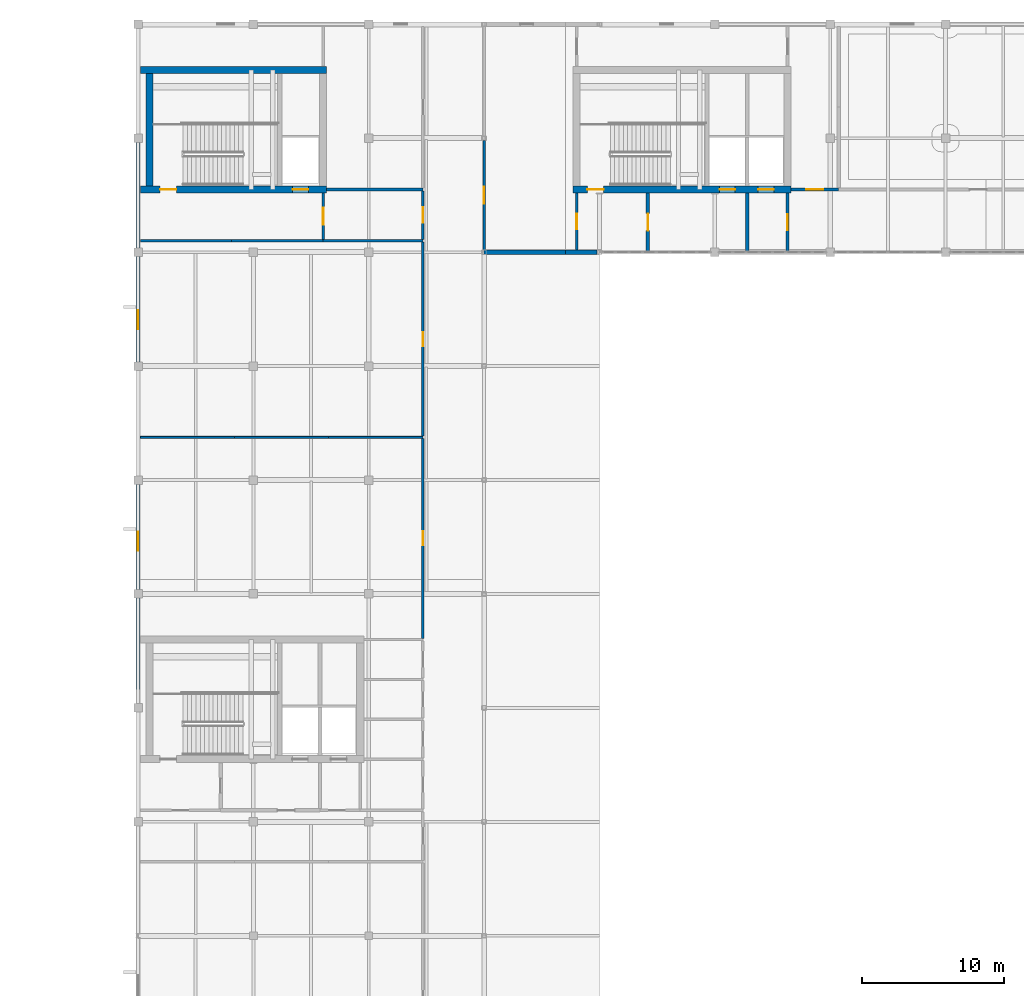
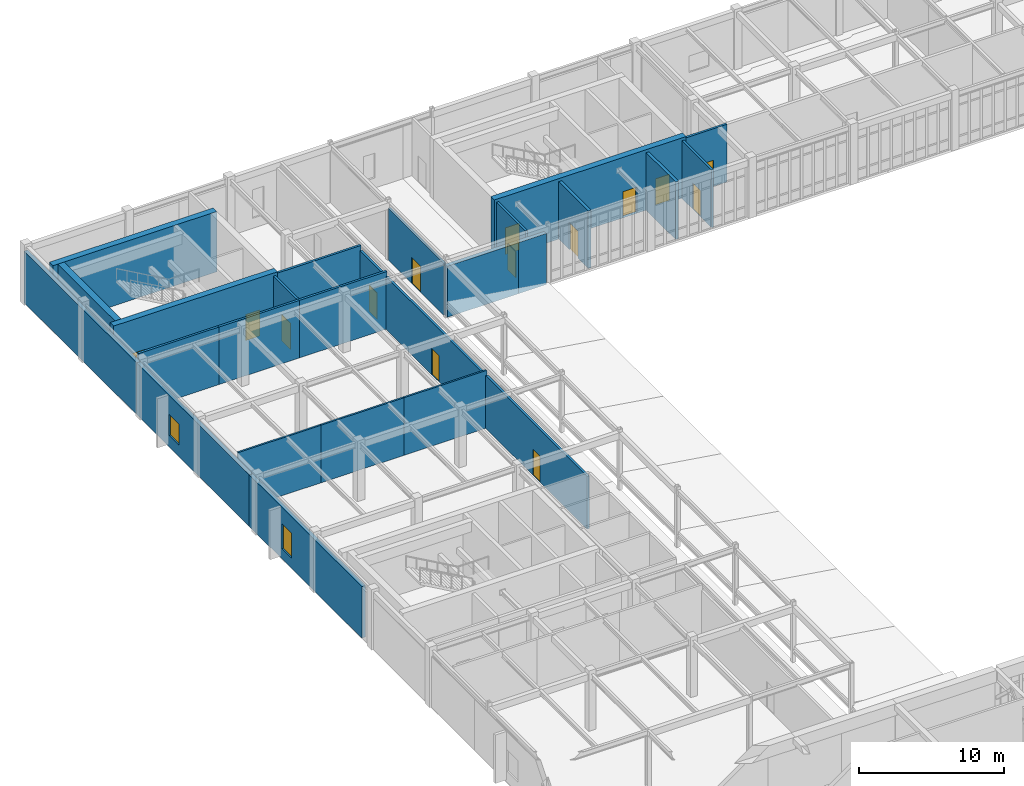
# One storey, part 62 of 70: 26 walls, 14 doors, 2 windows, 16 openings.
"""IFC4 building model written with IfcOpenShell, lengths in metres."""

from ifc_helpers import new_model, si_unit, direction, frame, frame_2d, origin, place, context, subcontext, project, spatial, rectangle, extrude, material, layer, layer_set, type_object, element, fill, save


model = new_model("IFC4")

# Units and contexts
model_context = context("Model", 3, precision=1e-05, world=origin(), true_north=direction((0.0, 1.0)))
body_context = subcontext(model_context, "Body", "Model", "MODEL_VIEW")
ifc_project = project(units=[si_unit("LENGTHUNIT", "METRE"), si_unit("AREAUNIT", "SQUARE_METRE"), si_unit("VOLUMEUNIT", "CUBIC_METRE"), si_unit("PLANEANGLEUNIT", "RADIAN"), si_unit("MASSUNIT", "GRAM", prefix="KILO")], contexts=[model_context])

# Site, building, storey
site_placement = place(None, origin())
site = spatial("IfcSite", under=ifc_project, at=site_placement, CompositionType="ELEMENT")
building_placement = place(site_placement, origin())
building = spatial("IfcBuilding", under=site, at=building_placement, Name="Tarnveldt Square Police Headquarters", CompositionType="ELEMENT")
storey_placement = place(building_placement, frame((0.0, 0.0, 19.800048828125)))
storey = spatial("IfcBuildingStorey", under=building, at=storey_placement, Name="L04", CompositionType="ELEMENT", Elevation=19.800048828125)

# Wall, openings, doors
ifc_material_1 = material(Name="Concrete 50 MPa", Category="concrete")
ifc_layer_1 = layer(ifc_material_1, 0.5)
ifc_layer_set_1 = layer_set([ifc_layer_1], Name="Concrete 50 MPa")
wall_type_1 = type_object("IfcWallType", Name="WL-CORE-500", PredefinedType="SHEAR", material=ifc_layer_set_1)
wall_1_placement = place(storey_placement, frame((16.360107421875, 100.39990234375, 0.0), z_axis=(0.0, 0.0, 1.0), x_axis=(1.0, 0.0, 0.0)))
wall_1 = element("IfcWall", 1, at=wall_1_placement, inside=storey, type_object=wall_type_1, Name="Core K2 North-West Operations Core L04 South Shear Wall", PredefinedType="SHEAR", context=body_context, shape_type="SweptSolid", body=[
    extrude(rectangle(XDim=13.08984375, YDim=0.5, at=frame_2d((6.544921875, 0.0))), origin(), (0.0, 0.0, 1.0), 5.099853515625),
])
opening_1_placement = place(wall_1_placement, frame((1.389892578125, 0.0, 0.0)))
opening_1 = element("IfcOpeningElement", 2, at=opening_1_placement, cuts=wall_1, Name="Opening D-ST2-L04", PredefinedType="OPENING", context=body_context, shape_type="SweptSolid", body=[
    extrude(rectangle(XDim=1.14990234375, YDim=2.25, at=frame_2d((0.574951171875, 1.125))), frame((0.0, 0.260009765625, 0.0), z_axis=(0.0, -1.0, 0.0), x_axis=(1.0, 0.0, 0.0)), (0.0, 0.0, 1.0), 0.52001953125),
])
opening_2_placement = place(wall_1_placement, frame((10.695068359375, 0.0, 0.0)))
opening_2 = element("IfcOpeningElement", 3, at=opening_2_placement, cuts=wall_1, Name="Opening LD-LP2-L04", PredefinedType="OPENING", context=body_context, shape_type="SweptSolid", body=[
    extrude(rectangle(XDim=1.10009765625, YDim=2.199951171875, at=frame_2d((0.550048828125, 1.10009765625))), frame((0.0, 0.260009765625, 0.0), z_axis=(0.0, -1.0, 0.0), x_axis=(1.0, 0.0, 0.0)), (0.0, 0.0, 1.0), 0.52001953125),
])
ifc_material_2 = material(Name="Insulated hollow metal steel door leaf", Category="steel")
door_type_1 = type_object("IfcDoorType", Name="DR-FD90-1150", OperationType="NOTDEFINED", PredefinedType="DOOR", material=ifc_material_2)
door_1_placement = place(opening_1_placement, origin())
door_1 = element("IfcDoor", 4, at=door_1_placement, inside=storey, type_object=door_type_1, Name="Exit Stair ST2 L04 Fire Door", OperationType="SINGLE_SWING_RIGHT", OverallHeight=2.25, OverallWidth=1.14990234375, PredefinedType="DOOR", context=body_context, shape_type="SweptSolid", body=[
    extrude(rectangle(XDim=1.14990234375, YDim=2.25, at=frame_2d((0.574951171875, 1.125))), frame((0.0, 0.02490234375, 0.0), z_axis=(0.0, -1.0, 0.0), x_axis=(1.0, 0.0, 0.0)), (0.0, 0.0, 1.0), 0.050048828125),
])
fill(opening_1, door_1)
ifc_material_3 = material(Name="Steel 350W", Category="steel")
door_type_2 = type_object("IfcDoorType", Name="DR-LD-1100", OperationType="DOUBLE_DOOR_SLIDING", PredefinedType="DOOR", material=ifc_material_3)
door_2_placement = place(opening_2_placement, frame((1.10009765625, 0.0, 0.0), z_axis=(0.0, 0.0, 1.0), x_axis=(-1.0, 0.0, 0.0)))
door_2 = element("IfcDoor", 5, at=door_2_placement, inside=storey, type_object=door_type_2, Name="Elevator LP2 L04 Sliding Landing Door", OperationType="DOUBLE_DOOR_SLIDING", OverallHeight=2.199951171875, OverallWidth=1.10009765625, PredefinedType="DOOR", context=body_context, shape_type="SweptSolid", body=[
    extrude(rectangle(XDim=1.10009765625, YDim=2.199951171875, at=frame_2d((0.550048828125, 1.10009765625))), frame((0.0, 0.02490234375, 0.0), z_axis=(0.0, -1.0, 0.0), x_axis=(1.0, 0.0, 0.0)), (0.0, 0.0, 1.0), 0.050048828125),
])
fill(opening_2, door_2)

# Walls
wall_2_placement = place(storey_placement, frame((16.360107421875, 108.800048828125, 0.0), z_axis=(0.0, 0.0, 1.0), x_axis=(1.0, 0.0, 0.0)))
element("IfcWall", 6, at=wall_2_placement, inside=storey, type_object=wall_type_1, Name="Core K2 North-West Operations Core L04 North Shear Wall", PredefinedType="SHEAR", context=body_context, shape_type="SweptSolid", body=[
    extrude(rectangle(XDim=13.08984375, YDim=0.5, at=frame_2d((6.544921875, 0.0))), origin(), (0.0, 0.0, 1.0), 5.099853515625),
])
wall_3_placement = place(storey_placement, frame((17.0, 100.64990234375, 0.0), z_axis=(0.0, 0.0, 1.0), x_axis=(0.0, 1.0, 0.0)))
element("IfcWall", 7, at=wall_3_placement, inside=storey, type_object=wall_type_1, Name="Core K2 North-West Operations Core L04 West Shear Wall", PredefinedType="SHEAR", context=body_context, shape_type="SweptSolid", body=[
    extrude(rectangle(XDim=7.900146484375, YDim=0.5, at=frame_2d((3.9501953125, 0.0))), origin(), (0.0, 0.0, 1.0), 5.099853515625),
])

# Wall, openings, doors
wall_4_placement = place(storey_placement, frame((46.75, 100.39990234375, 0.0), z_axis=(0.0, 0.0, 1.0), x_axis=(1.0, 0.0, 0.0)))
wall_4 = element("IfcWall", 8, at=wall_4_placement, inside=storey, type_object=wall_type_1, Name="Core K3 North-Central Forensic and Firefighting Core L04 South Shear Wall", PredefinedType="SHEAR", context=body_context, shape_type="SweptSolid", body=[
    extrude(rectangle(XDim=15.300048828125, YDim=0.5, at=frame_2d((7.64990234375, 0.0))), origin(), (0.0, 0.0, 1.0), 5.099853515625),
])
opening_3_placement = place(wall_4_placement, frame((1.0, 0.0, 0.0)))
opening_3 = element("IfcOpeningElement", 9, at=opening_3_placement, cuts=wall_4, Name="Opening D-ST3-L04", PredefinedType="OPENING", context=body_context, shape_type="SweptSolid", body=[
    extrude(rectangle(XDim=1.14990234375, YDim=2.25, at=frame_2d((0.574951171875, 1.125))), frame((0.0, 0.260009765625, 0.0), z_axis=(0.0, -1.0, 0.0), x_axis=(1.0, 0.0, 0.0)), (0.0, 0.0, 1.0), 0.52001953125),
])
opening_4_placement = place(wall_4_placement, frame((10.282470703125, 0.0, 0.0)))
opening_4 = element("IfcOpeningElement", 10, at=opening_4_placement, cuts=wall_4, Name="Opening LD-LF2-L04", PredefinedType="OPENING", context=body_context, shape_type="SweptSolid", body=[
    extrude(rectangle(XDim=1.10009765625, YDim=2.199951171875, at=frame_2d((0.550048828125, 1.10009765625))), frame((0.0, 0.260009765625, 0.0), z_axis=(0.0, -1.0, 0.0), x_axis=(1.0, 0.0, 0.0)), (0.0, 0.0, 1.0), 0.52001953125),
])
opening_5_placement = place(wall_4_placement, frame((12.99755859375, 0.0, 0.0)))
opening_5 = element("IfcOpeningElement", 11, at=opening_5_placement, cuts=wall_4, Name="Opening LD-LP3-L04", PredefinedType="OPENING", context=body_context, shape_type="SweptSolid", body=[
    extrude(rectangle(XDim=1.10009765625, YDim=2.199951171875, at=frame_2d((0.550048828125, 1.10009765625))), frame((0.0, 0.260009765625, 0.0), z_axis=(0.0, -1.0, 0.0), x_axis=(1.0, 0.0, 0.0)), (0.0, 0.0, 1.0), 0.52001953125),
])
door_3_placement = place(opening_3_placement, origin())
door_3 = element("IfcDoor", 12, at=door_3_placement, inside=storey, type_object=door_type_1, Name="Exit Stair ST3 L04 Fire Door", OperationType="SINGLE_SWING_RIGHT", OverallHeight=2.25, OverallWidth=1.14990234375, PredefinedType="DOOR", context=body_context, shape_type="SweptSolid", body=[
    extrude(rectangle(XDim=1.14990234375, YDim=2.25, at=frame_2d((0.574951171875, 1.125))), frame((0.0, 0.02490234375, 0.0), z_axis=(0.0, -1.0, 0.0), x_axis=(1.0, 0.0, 0.0)), (0.0, 0.0, 1.0), 0.050048828125),
])
fill(opening_3, door_3)
door_4_placement = place(opening_4_placement, frame((1.10009765625, 0.0, 0.0), z_axis=(0.0, 0.0, 1.0), x_axis=(-1.0, 0.0, 0.0)))
door_4 = element("IfcDoor", 13, at=door_4_placement, inside=storey, type_object=door_type_2, Name="Elevator LF2 L04 Sliding Landing Door", OperationType="DOUBLE_DOOR_SLIDING", OverallHeight=2.199951171875, OverallWidth=1.10009765625, PredefinedType="DOOR", context=body_context, shape_type="SweptSolid", body=[
    extrude(rectangle(XDim=1.10009765625, YDim=2.199951171875, at=frame_2d((0.550048828125, 1.10009765625))), frame((0.0, 0.02490234375, 0.0), z_axis=(0.0, -1.0, 0.0), x_axis=(1.0, 0.0, 0.0)), (0.0, 0.0, 1.0), 0.050048828125),
])
fill(opening_4, door_4)
door_5_placement = place(opening_5_placement, frame((1.10009765625, 0.0, 0.0), z_axis=(0.0, 0.0, 1.0), x_axis=(-1.0, 0.0, 0.0)))
door_5 = element("IfcDoor", 14, at=door_5_placement, inside=storey, type_object=door_type_2, Name="Elevator LP3 L04 Sliding Landing Door", OperationType="DOUBLE_DOOR_SLIDING", OverallHeight=2.199951171875, OverallWidth=1.10009765625, PredefinedType="DOOR", context=body_context, shape_type="SweptSolid", body=[
    extrude(rectangle(XDim=1.10009765625, YDim=2.199951171875, at=frame_2d((0.550048828125, 1.10009765625))), frame((0.0, 0.02490234375, 0.0), z_axis=(0.0, -1.0, 0.0), x_axis=(1.0, 0.0, 0.0)), (0.0, 0.0, 1.0), 0.050048828125),
])
fill(opening_5, door_5)

# Walls
ifc_material_4 = material(Name="Concrete 40 MPa", Category="concrete")
ifc_layer_2 = layer(ifc_material_4, 0.320068359375)
ifc_layer_set_2 = layer_set([ifc_layer_2], Name="Concrete 40 MPa")
wall_type_2 = type_object("IfcWallType", Name="WL-EXT-BH320", PredefinedType="SOLIDWALL", material=ifc_layer_set_2)
wall_5_placement = place(storey_placement, frame((40.5, 96.0, 0.0), z_axis=(0.0, 0.0, 1.0), x_axis=(1.0, 0.0, 0.0)))
element("IfcWall", 15, at=wall_5_placement, inside=storey, type_object=wall_type_2, Name="L04 Brutalist Exterior Wall 0187", PredefinedType="SOLIDWALL", context=body_context, shape_type="SweptSolid", body=[
    extrude(rectangle(XDim=5.699951171875, YDim=0.320068359375, at=frame_2d((2.85009765625, 0.0))), origin(), (0.0, 0.0, 1.0), 4.302001953125),
])
ifc_material_5 = material(Name="Manganese ironspot clay brick masonry 20 MPa", Category="masonry")
ifc_layer_3 = layer(ifc_material_5, 0.300048828125)
ifc_layer_set_3 = layer_set([ifc_layer_3], Name="Manganese ironspot clay brick masonry 20 MPa")
wall_type_3 = type_object("IfcWallType", Name="WL-EXT-BRK300", PredefinedType="SOLIDWALL", material=ifc_layer_set_3)
wall_6_placement = place(storey_placement, frame((46.199951171875, 96.0, 0.0), z_axis=(0.0, 0.0, 1.0), x_axis=(1.0, 0.0, 0.0)))
element("IfcWall", 16, at=wall_6_placement, inside=storey, type_object=wall_type_3, Name="L04 Brutalist Exterior Wall 0188", PredefinedType="SOLIDWALL", context=body_context, shape_type="SweptSolid", body=[
    extrude(rectangle(XDim=2.219970703125, YDim=0.300048828125, at=frame_2d((1.10986328125, 0.0))), origin(), (0.0, 0.0, 1.0), 4.302001953125),
])
wall_7_placement = place(storey_placement, frame((16.199951171875, 112.0, 0.0), z_axis=(0.0, 0.0, 1.0), x_axis=(0.0, -1.0, 0.0)))
element("IfcWall", 17, at=wall_7_placement, inside=storey, type_object=wall_type_3, Name="L04 Brutalist Exterior Wall 0198", PredefinedType="SOLIDWALL", context=body_context, shape_type="SweptSolid", body=[
    extrude(rectangle(XDim=15.56396484375, YDim=0.300048828125, at=frame_2d((7.781982421875, 0.0))), origin(), (0.0, 0.0, 1.0), 4.35205078125),
])

# Wall, opening, window
wall_8_placement = place(storey_placement, frame((16.199951171875, 96.43603515625, 0.0), z_axis=(0.0, 0.0, 1.0), x_axis=(0.0, -1.0, 0.0)))
wall_8 = element("IfcWall", 18, at=wall_8_placement, inside=storey, type_object=wall_type_3, Name="L04 Brutalist Exterior Wall 0199", PredefinedType="SOLIDWALL", context=body_context, shape_type="SweptSolid", body=[
    extrude(rectangle(XDim=15.56396484375, YDim=0.300048828125, at=frame_2d((7.781982421875, 0.0))), origin(), (0.0, 0.0, 1.0), 4.35205078125),
])
opening_6_placement = place(wall_8_placement, frame((4.5, 0.0, 0.949951171875)))
opening_6 = element("IfcOpeningElement", 19, at=opening_6_placement, cuts=wall_8, Name="Opening W05", PredefinedType="OPENING", context=body_context, shape_type="SweptSolid", body=[
    extrude(rectangle(XDim=1.35009765625, YDim=1.800048828125, at=frame_2d((0.675048828125, 0.89990234375))), frame((0.0, 0.159912109375, 0.0), z_axis=(0.0, -1.0, 0.0), x_axis=(1.0, 0.0, 0.0)), (0.0, 0.0, 1.0), 0.320068359375),
])
ifc_material_6 = material(Name="Triple-glazed low-e laminated vision glass", Category="glass")
window_type_1 = type_object("IfcWindowType", Name="WIN-DR-135x180", PartitioningType="DOUBLE_PANEL_VERTICAL", PredefinedType="WINDOW", material=ifc_material_6)
window_1_placement = place(opening_6_placement, origin())
window_1 = element("IfcWindow", 20, at=window_1_placement, inside=storey, type_object=window_type_1, Name="L04 Deep-Reveal Brutalist Window 0101", OverallHeight=1.800048828125, OverallWidth=1.35009765625, PartitioningType="DOUBLE_PANEL_VERTICAL", PredefinedType="WINDOW", context=body_context, shape_type="SweptSolid", body=[
    extrude(rectangle(XDim=1.35009765625, YDim=1.800048828125, at=frame_2d((0.675048828125, 0.89990234375))), frame((0.0, 0.030029296875, 0.0), z_axis=(0.0, -1.0, 0.0), x_axis=(1.0, 0.0, 0.0)), (0.0, 0.0, 1.0), 0.06005859375),
])
fill(opening_6, window_1)

wall_9_placement = place(storey_placement, frame((16.199951171875, 80.8720703125, 0.0), z_axis=(0.0, 0.0, 1.0), x_axis=(0.0, -1.0, 0.0)))
wall_9 = element("IfcWall", 21, at=wall_9_placement, inside=storey, type_object=wall_type_3, Name="L04 Brutalist Exterior Wall 0200", PredefinedType="SOLIDWALL", context=body_context, shape_type="SweptSolid", body=[
    extrude(rectangle(XDim=15.56396484375, YDim=0.300048828125, at=frame_2d((7.781982421875, 0.0))), origin(), (0.0, 0.0, 1.0), 4.35205078125),
])
opening_7_placement = place(wall_9_placement, frame((4.5, 0.0, 0.85009765625)))
opening_7 = element("IfcOpeningElement", 22, at=opening_7_placement, cuts=wall_9, Name="Opening W06", PredefinedType="OPENING", context=body_context, shape_type="SweptSolid", body=[
    extrude(rectangle(XDim=1.35009765625, YDim=2.10009765625, at=frame_2d((0.675048828125, 1.050048828125))), frame((0.0, 0.159912109375, 0.0), z_axis=(0.0, -1.0, 0.0), x_axis=(1.0, 0.0, 0.0)), (0.0, 0.0, 1.0), 0.320068359375),
])
window_type_2 = type_object("IfcWindowType", Name="WIN-DR-135x210", PartitioningType="DOUBLE_PANEL_VERTICAL", PredefinedType="WINDOW", material=ifc_material_6)
window_2_placement = place(opening_7_placement, origin())
window_2 = element("IfcWindow", 23, at=window_2_placement, inside=storey, type_object=window_type_2, Name="L04 Deep-Reveal Brutalist Window 0102", OverallHeight=2.10009765625, OverallWidth=1.35009765625, PartitioningType="DOUBLE_PANEL_VERTICAL", PredefinedType="WINDOW", context=body_context, shape_type="SweptSolid", body=[
    extrude(rectangle(XDim=1.35009765625, YDim=2.10009765625, at=frame_2d((0.675048828125, 1.050048828125))), frame((0.0, 0.030029296875, 0.0), z_axis=(0.0, -1.0, 0.0), x_axis=(1.0, 0.0, 0.0)), (0.0, 0.0, 1.0), 0.06005859375),
])
fill(opening_7, window_2)

# Walls
ifc_material_7 = material(Name="Fire-rated Type X gypsum board on steel studs", Category="steel")
ifc_layer_4 = layer(ifc_material_7, 0.179931640625)
ifc_layer_set_4 = layer_set([ifc_layer_4], Name="Fire-rated Type X gypsum board on steel studs")
wall_type_4 = type_object("IfcWallType", Name="WL-FIRE-180", PredefinedType="PARTITIONING", material=ifc_layer_set_4)
wall_10_placement = place(storey_placement, frame((16.35791015625, 96.800048828125, 0.0), z_axis=(0.0, 0.0, 1.0), x_axis=(1.0, 0.0, 0.0)))
element("IfcWall", 24, at=wall_10_placement, inside=storey, type_object=wall_type_4, Name="L04 Interior Partition Wall 0545", PredefinedType="PARTITIONING", context=body_context, shape_type="SweptSolid", body=[
    extrude(rectangle(XDim=6.421142578125, YDim=0.179931640625, at=frame_2d((3.21044921875, 0.0))), origin(), (0.0, 0.0, 1.0), 4.85986328125),
])
wall_11_placement = place(storey_placement, frame((22.779052734375, 96.800048828125, 0.0), z_axis=(0.0, 0.0, 1.0), x_axis=(1.0, 0.0, 0.0)))
element("IfcWall", 25, at=wall_11_placement, inside=storey, type_object=wall_type_4, Name="L04 Interior Partition Wall 0546", PredefinedType="PARTITIONING", context=body_context, shape_type="SweptSolid", body=[
    extrude(rectangle(XDim=6.4208984375, YDim=0.179931640625, at=frame_2d((3.21044921875, 0.0))), origin(), (0.0, 0.0, 1.0), 4.85986328125),
])
wall_12_placement = place(storey_placement, frame((29.199951171875, 96.800048828125, 0.0), z_axis=(0.0, 0.0, 1.0), x_axis=(1.0, 0.0, 0.0)))
element("IfcWall", 26, at=wall_12_placement, inside=storey, type_object=wall_type_4, Name="L04 Interior Partition Wall 0550", PredefinedType="PARTITIONING", context=body_context, shape_type="SweptSolid", body=[
    extrude(rectangle(XDim=7.0, YDim=0.179931640625, at=frame_2d((3.5, 0.0))), origin(), (0.0, 0.0, 1.0), 4.85986328125),
])
wall_13_placement = place(storey_placement, frame((29.449951171875, 100.39990234375, 0.0), z_axis=(0.0, 0.0, 1.0), x_axis=(1.0, 0.0, 0.0)))
element("IfcWall", 27, at=wall_13_placement, inside=storey, type_object=wall_type_4, Name="L04 Interior Partition Wall 0551", PredefinedType="PARTITIONING", context=body_context, shape_type="SweptSolid", body=[
    extrude(rectangle(XDim=6.75, YDim=0.179931640625, at=frame_2d((3.375, 0.0))), origin(), (0.0, 0.0, 1.0), 4.85986328125),
])

# Wall, opening, door
wall_14_placement = place(storey_placement, frame((62.050048828125, 100.39990234375, 0.0), z_axis=(0.0, 0.0, 1.0), x_axis=(1.0, 0.0, 0.0)))
wall_14 = element("IfcWall", 28, at=wall_14_placement, inside=storey, type_object=wall_type_4, Name="L04 Interior Partition Wall 0560", PredefinedType="PARTITIONING", context=body_context, shape_type="SweptSolid", body=[
    extrude(rectangle(XDim=3.349853515625, YDim=0.179931640625, at=frame_2d((1.6748046875, 0.0))), origin(), (0.0, 0.0, 1.0), 4.85986328125),
])
opening_8_placement = place(wall_14_placement, frame((1.074951171875, 0.0, 0.0)))
opening_8 = element("IfcOpeningElement", 29, at=opening_8_placement, cuts=wall_14, Name="Opening D16", PredefinedType="OPENING", context=body_context, shape_type="SweptSolid", body=[
    extrude(rectangle(XDim=1.199951171875, YDim=2.199951171875, at=frame_2d((0.60009765625, 1.10009765625))), frame((0.0, 0.099853515625, 0.0), z_axis=(0.0, -1.0, 0.0), x_axis=(1.0, 0.0, 0.0)), (0.0, 0.0, 1.0), 0.199951171875),
])
door_type_3 = type_object("IfcDoorType", Name="DR-FD60-1200", OperationType="NOTDEFINED", PredefinedType="DOOR", material=ifc_material_2)
door_6_placement = place(opening_8_placement, frame((1.199951171875, 0.0, 0.0), z_axis=(0.0, 0.0, 1.0), x_axis=(-1.0, 0.0, 0.0)))
door_6 = element("IfcDoor", 30, at=door_6_placement, inside=storey, type_object=door_type_3, Name="Ballistics Laboratory Corridor L04 Door", OperationType="SINGLE_SWING_LEFT", OverallHeight=2.199951171875, OverallWidth=1.199951171875, PredefinedType="DOOR", context=body_context, shape_type="SweptSolid", body=[
    extrude(rectangle(XDim=1.199951171875, YDim=2.199951171875, at=frame_2d((0.60009765625, 1.10009765625))), frame((0.0, 0.02490234375, 0.0), z_axis=(0.0, -1.0, 0.0), x_axis=(1.0, 0.0, 0.0)), (0.0, 0.0, 1.0), 0.050048828125),
])
fill(opening_8, door_6)

wall_15_placement = place(storey_placement, frame((29.199951171875, 96.89794921875, 0.0), z_axis=(0.0, 0.0, 1.0), x_axis=(0.0, 1.0, 0.0)))
wall_15 = element("IfcWall", 31, at=wall_15_placement, inside=storey, type_object=wall_type_4, Name="L04 Interior Partition Wall 0569", PredefinedType="PARTITIONING", context=body_context, shape_type="SweptSolid", body=[
    extrude(rectangle(XDim=3.244140625, YDim=0.179931640625, at=frame_2d((1.6220703125, 0.0))), origin(), (0.0, 0.0, 1.0), 4.85986328125),
])
opening_9_placement = place(wall_15_placement, frame((1.02197265625, 0.0, 0.0)))
opening_9 = element("IfcOpeningElement", 32, at=opening_9_placement, cuts=wall_15, Name="Opening D16", PredefinedType="OPENING", context=body_context, shape_type="SweptSolid", body=[
    extrude(rectangle(XDim=1.199951171875, YDim=2.199951171875, at=frame_2d((0.60009765625, 1.10009765625))), frame((0.0, 0.099853515625, 0.0), z_axis=(0.0, -1.0, 0.0), x_axis=(1.0, 0.0, 0.0)), (0.0, 0.0, 1.0), 0.199951171875),
])
door_7_placement = place(opening_9_placement, frame((1.199951171875, 0.0, 0.0), z_axis=(0.0, 0.0, 1.0), x_axis=(-1.0, 0.0, 0.0)))
door_7 = element("IfcDoor", 33, at=door_7_placement, inside=storey, type_object=door_type_3, Name="Core Lift Lobby K2-L04 Door", OperationType="SINGLE_SWING_LEFT", OverallHeight=2.199951171875, OverallWidth=1.199951171875, PredefinedType="DOOR", context=body_context, shape_type="SweptSolid", body=[
    extrude(rectangle(XDim=1.199951171875, YDim=2.199951171875, at=frame_2d((0.60009765625, 1.10009765625))), frame((0.0, 0.02490234375, 0.0), z_axis=(0.0, -1.0, 0.0), x_axis=(1.0, 0.0, 0.0)), (0.0, 0.0, 1.0), 0.050048828125),
])
fill(opening_9, door_7)

wall_16_placement = place(storey_placement, frame((36.199951171875, 68.887939453125, 0.0), z_axis=(0.0, 0.0, 1.0), x_axis=(0.0, 1.0, 0.0)))
wall_16 = element("IfcWall", 34, at=wall_16_placement, inside=storey, type_object=wall_type_4, Name="L04 Interior Partition Wall 0580", PredefinedType="PARTITIONING", context=body_context, shape_type="SweptSolid", body=[
    extrude(rectangle(XDim=14.0341796875, YDim=0.179931640625, at=frame_2d((7.01708984375, 0.0))), origin(), (0.0, 0.0, 1.0), 4.445068359375),
])
opening_10_placement = place(wall_16_placement, frame((6.51708984375, 0.0, 0.0)))
opening_10 = element("IfcOpeningElement", 35, at=opening_10_placement, cuts=wall_16, Name="Opening D05", PredefinedType="OPENING", context=body_context, shape_type="SweptSolid", body=[
    extrude(rectangle(XDim=1.0, YDim=2.199951171875, at=frame_2d((0.5, 1.10009765625))), frame((0.0, 0.099853515625, 0.0), z_axis=(0.0, -1.0, 0.0), x_axis=(1.0, 0.0, 0.0)), (0.0, 0.0, 1.0), 0.199951171875),
])
ifc_material_8 = material(Name="Solid core architectural birch door leaf", Category="wood")
door_type_4 = type_object("IfcDoorType", Name="DR-INT-1000", OperationType="NOTDEFINED", PredefinedType="DOOR", material=ifc_material_8)
door_8_placement = place(opening_10_placement, origin())
door_8 = element("IfcDoor", 36, at=door_8_placement, inside=storey, type_object=door_type_4, Name="Drug Squad Undercover Case Suite Door", OperationType="SINGLE_SWING_RIGHT", OverallHeight=2.199951171875, OverallWidth=1.0, PredefinedType="DOOR", context=body_context, shape_type="SweptSolid", body=[
    extrude(rectangle(XDim=1.0, YDim=2.199951171875, at=frame_2d((0.5, 1.10009765625))), frame((0.0, 0.02490234375, 0.0), z_axis=(0.0, -1.0, 0.0), x_axis=(1.0, 0.0, 0.0)), (0.0, 0.0, 1.0), 0.050048828125),
])
fill(opening_10, door_8)

wall_17_placement = place(storey_placement, frame((36.199951171875, 83.077880859375, 0.0), z_axis=(0.0, 0.0, 1.0), x_axis=(0.0, 1.0, 0.0)))
wall_17 = element("IfcWall", 37, at=wall_17_placement, inside=storey, type_object=wall_type_4, Name="L04 Interior Partition Wall 0581", PredefinedType="PARTITIONING", context=body_context, shape_type="SweptSolid", body=[
    extrude(rectangle(XDim=13.6240234375, YDim=0.179931640625, at=frame_2d((6.81201171875, 0.0))), origin(), (0.0, 0.0, 1.0), 4.445068359375),
])
opening_11_placement = place(wall_17_placement, frame((6.31201171875, 0.0, 0.0)))
opening_11 = element("IfcOpeningElement", 38, at=opening_11_placement, cuts=wall_17, Name="Opening D05", PredefinedType="OPENING", context=body_context, shape_type="SweptSolid", body=[
    extrude(rectangle(XDim=1.0, YDim=2.199951171875, at=frame_2d((0.5, 1.10009765625))), frame((0.0, 0.099853515625, 0.0), z_axis=(0.0, -1.0, 0.0), x_axis=(1.0, 0.0, 0.0)), (0.0, 0.0, 1.0), 0.199951171875),
])
door_9_placement = place(opening_11_placement, origin())
door_9 = element("IfcDoor", 39, at=door_9_placement, inside=storey, type_object=door_type_4, Name="Technical Surveillance Workshop Door", OperationType="SINGLE_SWING_LEFT", OverallHeight=2.199951171875, OverallWidth=1.0, PredefinedType="DOOR", context=body_context, shape_type="SweptSolid", body=[
    extrude(rectangle(XDim=1.0, YDim=2.199951171875, at=frame_2d((0.5, 1.10009765625))), frame((0.0, 0.02490234375, 0.0), z_axis=(0.0, -1.0, 0.0), x_axis=(1.0, 0.0, 0.0)), (0.0, 0.0, 1.0), 0.050048828125),
])
fill(opening_11, door_9)

wall_18_placement = place(storey_placement, frame((36.199951171875, 96.89794921875, 0.0), z_axis=(0.0, 0.0, 1.0), x_axis=(0.0, 1.0, 0.0)))
wall_18 = element("IfcWall", 40, at=wall_18_placement, inside=storey, type_object=wall_type_4, Name="L04 Interior Partition Wall 0582", PredefinedType="PARTITIONING", context=body_context, shape_type="SweptSolid", body=[
    extrude(rectangle(XDim=3.404052734375, YDim=0.179931640625, at=frame_2d((1.7021484375, 0.0))), origin(), (0.0, 0.0, 1.0), 4.445068359375),
])
opening_12_placement = place(wall_18_placement, frame((1.152099609375, 0.0, 0.0)))
opening_12 = element("IfcOpeningElement", 41, at=opening_12_placement, cuts=wall_18, Name="Opening D15", PredefinedType="OPENING", context=body_context, shape_type="SweptSolid", body=[
    extrude(rectangle(XDim=1.10009765625, YDim=2.199951171875, at=frame_2d((0.550048828125, 1.10009765625))), frame((0.0, 0.099853515625, 0.0), z_axis=(0.0, -1.0, 0.0), x_axis=(1.0, 0.0, 0.0)), (0.0, 0.0, 1.0), 0.199951171875),
])
door_type_5 = type_object("IfcDoorType", Name="DR-FD60-1100", OperationType="NOTDEFINED", PredefinedType="DOOR", material=ifc_material_2)
door_10_placement = place(opening_12_placement, origin())
door_10 = element("IfcDoor", 42, at=door_10_placement, inside=storey, type_object=door_type_5, Name="Core K2 East Vestibule L04 Door", OperationType="SINGLE_SWING_RIGHT", OverallHeight=2.199951171875, OverallWidth=1.10009765625, PredefinedType="DOOR", context=body_context, shape_type="SweptSolid", body=[
    extrude(rectangle(XDim=1.10009765625, YDim=2.199951171875, at=frame_2d((0.550048828125, 1.10009765625))), frame((0.0, 0.02490234375, 0.0), z_axis=(0.0, -1.0, 0.0), x_axis=(1.0, 0.0, 0.0)), (0.0, 0.0, 1.0), 0.050048828125),
])
fill(opening_12, door_10)

wall_19_placement = place(storey_placement, frame((40.5, 96.16796875, 0.0), z_axis=(0.0, 0.0, 1.0), x_axis=(0.0, 1.0, 0.0)))
wall_19 = element("IfcWall", 43, at=wall_19_placement, inside=storey, type_object=wall_type_4, Name="L04 Interior Partition Wall 0584", PredefinedType="PARTITIONING", context=body_context, shape_type="SweptSolid", body=[
    extrude(rectangle(XDim=7.671630859375, YDim=0.179931640625, at=frame_2d((3.8359375, 0.0))), origin(), (0.0, 0.0, 1.0), 4.388916015625),
])
opening_13_placement = place(wall_19_placement, frame((3.23583984375, 0.0, 0.0)))
opening_13 = element("IfcOpeningElement", 44, at=opening_13_placement, cuts=wall_19, Name="Opening D16", PredefinedType="OPENING", context=body_context, shape_type="SweptSolid", body=[
    extrude(rectangle(XDim=1.199951171875, YDim=2.199951171875, at=frame_2d((0.60009765625, 1.10009765625))), frame((0.0, 0.099853515625, 0.0), z_axis=(0.0, -1.0, 0.0), x_axis=(1.0, 0.0, 0.0)), (0.0, 0.0, 1.0), 0.199951171875),
])
door_11_placement = place(opening_13_placement, frame((1.199951171875, 0.0, 0.0), z_axis=(0.0, 0.0, 1.0), x_axis=(-1.0, 0.0, 0.0)))
door_11 = element("IfcDoor", 45, at=door_11_placement, inside=storey, type_object=door_type_3, Name="North-West Forensic Link Corridor L04 Door", OperationType="SINGLE_SWING_RIGHT", OverallHeight=2.199951171875, OverallWidth=1.199951171875, PredefinedType="DOOR", context=body_context, shape_type="SweptSolid", body=[
    extrude(rectangle(XDim=1.199951171875, YDim=2.199951171875, at=frame_2d((0.60009765625, 1.10009765625))), frame((0.0, 0.02490234375, 0.0), z_axis=(0.0, -1.0, 0.0), x_axis=(1.0, 0.0, 0.0)), (0.0, 0.0, 1.0), 0.050048828125),
])
fill(opening_13, door_11)

wall_20_placement = place(storey_placement, frame((47.0, 96.157958984375, 0.0), z_axis=(0.0, 0.0, 1.0), x_axis=(0.0, 1.0, 0.0)))
wall_20 = element("IfcWall", 46, at=wall_20_placement, inside=storey, type_object=wall_type_4, Name="L04 Interior Partition Wall 0586", PredefinedType="PARTITIONING", context=body_context, shape_type="SweptSolid", body=[
    extrude(rectangle(XDim=3.984130859375, YDim=0.179931640625, at=frame_2d((1.9921875, 0.0))), origin(), (0.0, 0.0, 1.0), 4.85986328125),
])
opening_14_placement = place(wall_20_placement, frame((1.44189453125, 0.0, 0.0)))
opening_14 = element("IfcOpeningElement", 47, at=opening_14_placement, cuts=wall_20, Name="Opening D15", PredefinedType="OPENING", context=body_context, shape_type="SweptSolid", body=[
    extrude(rectangle(XDim=1.10009765625, YDim=2.199951171875, at=frame_2d((0.550048828125, 1.10009765625))), frame((0.0, 0.099853515625, 0.0), z_axis=(0.0, -1.0, 0.0), x_axis=(1.0, 0.0, 0.0)), (0.0, 0.0, 1.0), 0.199951171875),
])
door_12_placement = place(opening_14_placement, origin())
door_12 = element("IfcDoor", 48, at=door_12_placement, inside=storey, type_object=door_type_5, Name="Core Stair Lobby K3-L04 Door", OperationType="SINGLE_SWING_LEFT", OverallHeight=2.199951171875, OverallWidth=1.10009765625, PredefinedType="DOOR", context=body_context, shape_type="SweptSolid", body=[
    extrude(rectangle(XDim=1.10009765625, YDim=2.199951171875, at=frame_2d((0.550048828125, 1.10009765625))), frame((0.0, 0.02490234375, 0.0), z_axis=(0.0, -1.0, 0.0), x_axis=(1.0, 0.0, 0.0)), (0.0, 0.0, 1.0), 0.050048828125),
])
fill(opening_14, door_12)

wall_21_placement = place(storey_placement, frame((61.800048828125, 96.06494140625, 0.0), z_axis=(0.0, 0.0, 1.0), x_axis=(0.0, 1.0, 0.0)))
wall_21 = element("IfcWall", 49, at=wall_21_placement, inside=storey, type_object=wall_type_4, Name="L04 Interior Partition Wall 0593", PredefinedType="PARTITIONING", context=body_context, shape_type="SweptSolid", body=[
    extrude(rectangle(XDim=4.0771484375, YDim=0.179931640625, at=frame_2d((2.03857421875, 0.0))), origin(), (0.0, 0.0, 1.0), 4.85986328125),
])
opening_15_placement = place(wall_21_placement, frame((1.488525390625, 0.0, 0.0)))
opening_15 = element("IfcOpeningElement", 50, at=opening_15_placement, cuts=wall_21, Name="Opening D15", PredefinedType="OPENING", context=body_context, shape_type="SweptSolid", body=[
    extrude(rectangle(XDim=1.10009765625, YDim=2.199951171875, at=frame_2d((0.550048828125, 1.10009765625))), frame((0.0, 0.099853515625, 0.0), z_axis=(0.0, -1.0, 0.0), x_axis=(1.0, 0.0, 0.0)), (0.0, 0.0, 1.0), 0.199951171875),
])
door_13_placement = place(opening_15_placement, frame((1.10009765625, 0.0, 0.0), z_axis=(0.0, 0.0, 1.0), x_axis=(-1.0, 0.0, 0.0)))
door_13 = element("IfcDoor", 51, at=door_13_placement, inside=storey, type_object=door_type_5, Name="Passenger Lift Lobby K3-L04 Door", OperationType="SINGLE_SWING_RIGHT", OverallHeight=2.199951171875, OverallWidth=1.10009765625, PredefinedType="DOOR", context=body_context, shape_type="SweptSolid", body=[
    extrude(rectangle(XDim=1.10009765625, YDim=2.199951171875, at=frame_2d((0.550048828125, 1.10009765625))), frame((0.0, 0.02490234375, 0.0), z_axis=(0.0, -1.0, 0.0), x_axis=(1.0, 0.0, 0.0)), (0.0, 0.0, 1.0), 0.050048828125),
])
fill(opening_15, door_13)

ifc_material_9 = material(Name="Concrete block masonry 15 MPa", Category="masonry")
ifc_layer_5 = layer(ifc_material_9, 0.239990234375)
ifc_layer_set_5 = layer_set([ifc_layer_5], Name="Concrete block masonry 15 MPa")
wall_type_5 = type_object("IfcWallType", Name="WL-FIRE-240", PredefinedType="PARTITIONING", material=ifc_layer_set_5)
wall_22_placement = place(storey_placement, frame((52.0, 96.06494140625, 0.0), z_axis=(0.0, 0.0, 1.0), x_axis=(0.0, 1.0, 0.0)))
wall_22 = element("IfcWall", 52, at=wall_22_placement, inside=storey, type_object=wall_type_5, Name="L04 Interior Partition Wall 0591", PredefinedType="PARTITIONING", context=body_context, shape_type="SweptSolid", body=[
    extrude(rectangle(XDim=4.0771484375, YDim=0.239990234375, at=frame_2d((2.03857421875, 0.0))), origin(), (0.0, 0.0, 1.0), 4.85986328125),
])
opening_16_placement = place(wall_22_placement, frame((1.4384765625, 0.0, 0.0)))
opening_16 = element("IfcOpeningElement", 53, at=opening_16_placement, cuts=wall_22, Name="Opening D20", PredefinedType="OPENING", context=body_context, shape_type="SweptSolid", body=[
    extrude(rectangle(XDim=1.199951171875, YDim=2.300048828125, at=frame_2d((0.60009765625, 1.14990234375))), frame((0.0, 0.1298828125, 0.0), z_axis=(0.0, -1.0, 0.0), x_axis=(1.0, 0.0, 0.0)), (0.0, 0.0, 1.0), 0.260009765625),
])
door_type_6 = type_object("IfcDoorType", Name="DR-FD90-1200", OperationType="NOTDEFINED", PredefinedType="DOOR", material=ifc_material_2)
door_14_placement = place(opening_16_placement, origin())
door_14 = element("IfcDoor", 54, at=door_14_placement, inside=storey, type_object=door_type_6, Name="Firefighting Lift Lobby K3-L04 Door", OperationType="SINGLE_SWING_LEFT", OverallHeight=2.300048828125, OverallWidth=1.199951171875, PredefinedType="DOOR", context=body_context, shape_type="SweptSolid", body=[
    extrude(rectangle(XDim=1.199951171875, YDim=2.300048828125, at=frame_2d((0.60009765625, 1.14990234375))), frame((0.0, 0.02490234375, 0.0), z_axis=(0.0, -1.0, 0.0), x_axis=(1.0, 0.0, 0.0)), (0.0, 0.0, 1.0), 0.050048828125),
])
fill(opening_16, door_14)

# Walls
wall_23_placement = place(storey_placement, frame((58.97509765625, 96.06494140625, 0.0), z_axis=(0.0, 0.0, 1.0), x_axis=(0.0, 1.0, 0.0)))
element("IfcWall", 55, at=wall_23_placement, inside=storey, type_object=wall_type_5, Name="L04 Interior Partition Wall 0592", PredefinedType="PARTITIONING", context=body_context, shape_type="SweptSolid", body=[
    extrude(rectangle(XDim=4.0771484375, YDim=0.239990234375, at=frame_2d((2.03857421875, 0.0))), origin(), (0.0, 0.0, 1.0), 4.85986328125),
])
ifc_layer_6 = layer(ifc_material_7, 0.139892578125)
ifc_layer_set_6 = layer_set([ifc_layer_6], Name="Fire-rated Type X gypsum board on steel studs")
wall_type_6 = type_object("IfcWallType", Name="WL-LAB-140", PredefinedType="PARTITIONING", material=ifc_layer_set_6)
for number, where, z_axis, x_axis, name in (
    (56, (16.35791015625, 83.0, 0.0), (0.0, 0.0, 1.0), (1.0, 0.0, 0.0), "L04 Interior Partition Wall 0542"),
    (57, (22.971923828125, 83.0, 0.0), (0.0, 0.0, 1.0), (1.0, 0.0, 0.0), "L04 Interior Partition Wall 0543"),
    (58, (29.5859375, 83.0, 0.0), (0.0, 0.0, 1.0), (1.0, 0.0, 0.0), "L04 Interior Partition Wall 0544"),
):
    element("IfcWall", number, at=place(storey_placement, frame(where, z_axis=z_axis, x_axis=x_axis)), inside=storey, type_object=wall_type_6, Name=name, PredefinedType="PARTITIONING", context=body_context, shape_type="SweptSolid", body=[
        extrude(rectangle(XDim=6.614013671875, YDim=0.139892578125, at=frame_2d((3.30712890625, 0.0))), origin(), (0.0, 0.0, 1.0), 4.85986328125),
    ])

save(model, "model.ifc")
